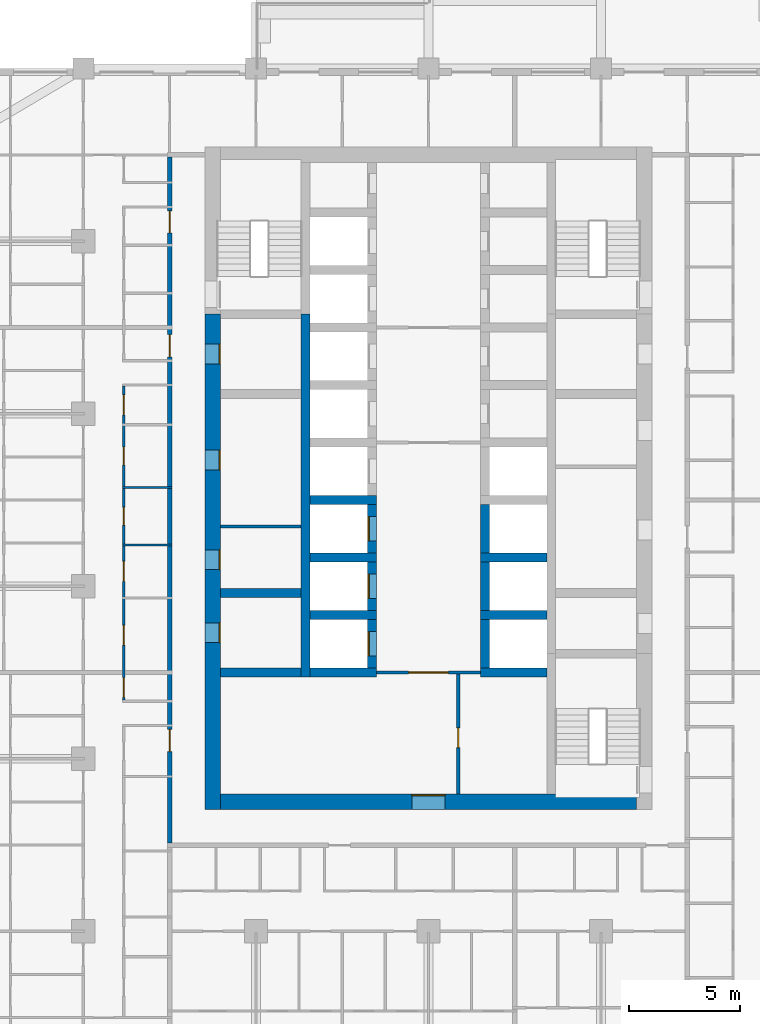
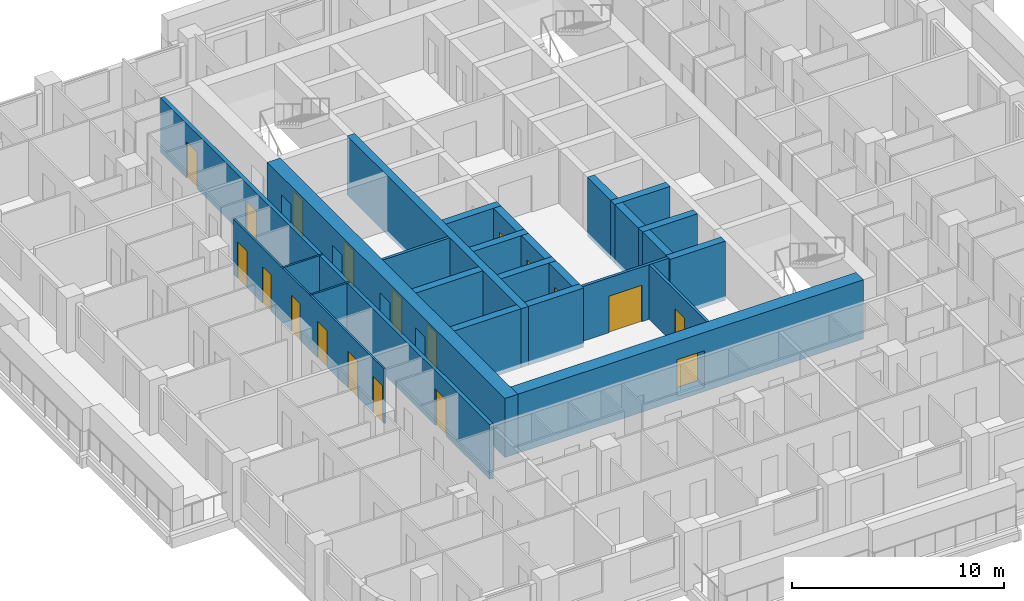
# One storey, part 6 of 17: 25 walls, 19 doors, 19 openings.
"""IFC4 building model written with IfcOpenShell, lengths in metres."""

from ifc_helpers import new_model, si_unit, direction, frame, frame_2d, origin, place, context, subcontext, project, spatial, rectangle, extrude, material, layer, layer_set, type_object, element, fill, save


model = new_model("IFC4")

# Units and contexts
model_context = context("Model", 3, precision=1e-05, world=origin(), true_north=direction((0.0, 1.0)))
body_context = subcontext(model_context, "Body", "Model", "MODEL_VIEW")
ifc_project = project(units=[si_unit("LENGTHUNIT", "METRE"), si_unit("AREAUNIT", "SQUARE_METRE"), si_unit("VOLUMEUNIT", "CUBIC_METRE"), si_unit("PLANEANGLEUNIT", "RADIAN"), si_unit("MASSUNIT", "GRAM", prefix="KILO")], contexts=[model_context])

# Site, building, storey
site_placement = place(None, origin())
site = spatial("IfcSite", under=ifc_project, at=site_placement, CompositionType="ELEMENT")
building_placement = place(site_placement, origin())
building = spatial("IfcBuilding", under=site, at=building_placement, Name="Ludao Terraces", CompositionType="ELEMENT")
storey_placement = place(building_placement, frame((0.0, 0.0, 85.199951171875)))
storey = spatial("IfcBuildingStorey", under=building, at=storey_placement, Name="L23", CompositionType="ELEMENT", Elevation=85.199951171875)

# Wall, openings, doors
ifc_material_1 = material(Name="Concrete C70", Category="concrete")
ifc_layer_1 = layer(ifc_material_1, 0.699951171875)
ifc_layer_set_1 = layer_set([ifc_layer_1], Name="Core wall 700 C70")
wall_type_1 = type_object("IfcWallType", Name="Core wall 700 C70", PredefinedType="SOLIDWALL", material=ifc_layer_set_1)
wall_1_placement = place(storey_placement, frame((75.25, 54.89990234375, -0.25), z_axis=(0.0, 0.0, 1.0), x_axis=(0.0, 1.0, 0.0)))
wall_1 = element("IfcWall", 1, at=wall_1_placement, inside=storey, type_object=wall_type_1, Name="Core wall L23 outer-W", PredefinedType="SOLIDWALL", context=body_context, shape_type="SweptSolid", body=[
    extrude(rectangle(XDim=22.400146484375, YDim=0.699951171875, at=frame_2d((11.2001953125, 0.0))), origin(), (0.0, 0.0, 1.0), 3.400146484375),
])
opening_1_placement = place(wall_1_placement, frame((7.550048828125, 0.0, 0.25)))
opening_1 = element("IfcOpeningElement", 2, at=opening_1_placement, cuts=wall_1, Name="Opening R07-077", PredefinedType="OPENING", context=body_context, shape_type="SweptSolid", body=[
    extrude(rectangle(XDim=0.89990234375, YDim=2.10009765625, at=frame_2d((0.449951171875, 1.050048828125))), frame((0.0, 0.35986328125, 0.0), z_axis=(0.0, -1.0, 0.0), x_axis=(1.0, 0.0, 0.0)), (0.0, 0.0, 1.0), 0.719970703125),
])
opening_2_placement = place(wall_1_placement, frame((10.85009765625, 0.0, 0.25)))
opening_2 = element("IfcOpeningElement", 3, at=opening_2_placement, cuts=wall_1, Name="Opening R07-087", PredefinedType="OPENING", context=body_context, shape_type="SweptSolid", body=[
    extrude(rectangle(XDim=0.89990234375, YDim=2.10009765625, at=frame_2d((0.449951171875, 1.050048828125))), frame((0.0, 0.35986328125, 0.0), z_axis=(0.0, -1.0, 0.0), x_axis=(1.0, 0.0, 0.0)), (0.0, 0.0, 1.0), 0.719970703125),
])
opening_3_placement = place(wall_1_placement, frame((15.35009765625, 0.0, 0.25)))
opening_3 = element("IfcOpeningElement", 4, at=opening_3_placement, cuts=wall_1, Name="Opening R07-101", PredefinedType="OPENING", context=body_context, shape_type="SweptSolid", body=[
    extrude(rectangle(XDim=0.89990234375, YDim=2.10009765625, at=frame_2d((0.449951171875, 1.050048828125))), frame((0.0, 0.35986328125, 0.0), z_axis=(0.0, -1.0, 0.0), x_axis=(1.0, 0.0, 0.0)), (0.0, 0.0, 1.0), 0.719970703125),
])
opening_4_placement = place(wall_1_placement, frame((20.14990234375, 0.0, 0.25)))
opening_4 = element("IfcOpeningElement", 5, at=opening_4_placement, cuts=wall_1, Name="Opening R07-119", PredefinedType="OPENING", context=body_context, shape_type="SweptSolid", body=[
    extrude(rectangle(XDim=0.89990234375, YDim=2.10009765625, at=frame_2d((0.449951171875, 1.050048828125))), frame((0.0, 0.35986328125, 0.0), z_axis=(0.0, -1.0, 0.0), x_axis=(1.0, 0.0, 0.0)), (0.0, 0.0, 1.0), 0.719970703125),
])
ifc_material_2 = material(Name="Steel Q235", Category="steel")
door_type_1 = type_object("IfcDoorType", Name="INT Riser door 900", OperationType="SINGLE_SWING_LEFT", PredefinedType="DOOR", material=ifc_material_2)
door_1_placement = place(opening_1_placement, origin())
door_1 = element("IfcDoor", 6, at=door_1_placement, inside=storey, type_object=door_type_1, Name="DOOR 077", OperationType="SINGLE_SWING_RIGHT", OverallHeight=2.10009765625, OverallWidth=0.89990234375, PredefinedType="DOOR", context=body_context, shape_type="SweptSolid", body=[
    extrude(rectangle(XDim=0.89990234375, YDim=2.10009765625, at=frame_2d((0.449951171875, 1.050048828125))), frame((0.0, -0.28515625, 0.0), z_axis=(0.0, -1.0, 0.0), x_axis=(1.0, 0.0, 0.0)), (0.0, 0.0, 1.0), 0.050048828125),
])
fill(opening_1, door_1)
door_2_placement = place(opening_4_placement, origin())
door_2 = element("IfcDoor", 7, at=door_2_placement, inside=storey, type_object=door_type_1, Name="DOOR 119", OperationType="SINGLE_SWING_RIGHT", OverallHeight=2.10009765625, OverallWidth=0.89990234375, PredefinedType="DOOR", context=body_context, shape_type="SweptSolid", body=[
    extrude(rectangle(XDim=0.89990234375, YDim=2.10009765625, at=frame_2d((0.449951171875, 1.050048828125))), frame((0.0, -0.28515625, 0.0), z_axis=(0.0, -1.0, 0.0), x_axis=(1.0, 0.0, 0.0)), (0.0, 0.0, 1.0), 0.050048828125),
])
fill(opening_4, door_2)
ifc_material_3 = material(Name="Timber door leaf", Category="wood")
door_type_2 = type_object("IfcDoorType", Name="INT Room door 900", OperationType="SINGLE_SWING_LEFT", PredefinedType="DOOR", material=ifc_material_3)
door_3_placement = place(opening_2_placement, origin())
door_3 = element("IfcDoor", 8, at=door_3_placement, inside=storey, type_object=door_type_2, Name="DOOR 087", OperationType="SINGLE_SWING_RIGHT", OverallHeight=2.10009765625, OverallWidth=0.89990234375, PredefinedType="DOOR", context=body_context, shape_type="SweptSolid", body=[
    extrude(rectangle(XDim=0.89990234375, YDim=2.10009765625, at=frame_2d((0.449951171875, 1.050048828125))), frame((0.0, -0.28515625, 0.0), z_axis=(0.0, -1.0, 0.0), x_axis=(1.0, 0.0, 0.0)), (0.0, 0.0, 1.0), 0.050048828125),
])
fill(opening_2, door_3)
door_4_placement = place(opening_3_placement, origin())
door_4 = element("IfcDoor", 9, at=door_4_placement, inside=storey, type_object=door_type_2, Name="DOOR 101", OperationType="SINGLE_SWING_LEFT", OverallHeight=2.10009765625, OverallWidth=0.89990234375, PredefinedType="DOOR", context=body_context, shape_type="SweptSolid", body=[
    extrude(rectangle(XDim=0.89990234375, YDim=2.10009765625, at=frame_2d((0.449951171875, 1.050048828125))), frame((0.0, -0.28515625, 0.0), z_axis=(0.0, -1.0, 0.0), x_axis=(1.0, 0.0, 0.0)), (0.0, 0.0, 1.0), 0.050048828125),
])
fill(opening_3, door_4)

# Wall, opening, door
wall_2_placement = place(storey_placement, frame((75.60009765625, 55.25, -0.25), z_axis=(0.0, 0.0, 1.0), x_axis=(1.0, 0.0, 0.0)))
wall_2 = element("IfcWall", 10, at=wall_2_placement, inside=storey, type_object=wall_type_1, Name="Core wall L23 outer-S", PredefinedType="SOLIDWALL", context=body_context, shape_type="SweptSolid", body=[
    extrude(rectangle(XDim=18.7998046875, YDim=0.699951171875, at=frame_2d((9.39990234375, 0.0))), origin(), (0.0, 0.0, 1.0), 3.400146484375),
])
opening_5_placement = place(wall_2_placement, frame((8.64990234375, 0.0, 0.25)))
opening_5 = element("IfcOpeningElement", 11, at=opening_5_placement, cuts=wall_2, Name="Opening R07-053", PredefinedType="OPENING", context=body_context, shape_type="SweptSolid", body=[
    extrude(rectangle(XDim=1.5, YDim=2.10009765625, at=frame_2d((0.75, 1.050048828125))), frame((0.0, 0.35986328125, 0.0), z_axis=(0.0, -1.0, 0.0), x_axis=(1.0, 0.0, 0.0)), (0.0, 0.0, 1.0), 0.719970703125),
])
door_type_3 = type_object("IfcDoorType", Name="INT Lobby door 1500", OperationType="DOUBLE_DOOR_SINGLE_SWING", PredefinedType="DOOR", material=ifc_material_2)
door_5_placement = place(opening_5_placement, origin())
door_5 = element("IfcDoor", 12, at=door_5_placement, inside=storey, type_object=door_type_3, Name="DOOR 053", OperationType="DOUBLE_DOOR_SINGLE_SWING", OverallHeight=2.10009765625, OverallWidth=1.5, PredefinedType="DOOR", context=body_context, shape_type="SweptSolid", body=[
    extrude(rectangle(XDim=1.5, YDim=2.10009765625, at=frame_2d((0.75, 1.050048828125))), frame((0.0, 0.3349609375, 0.0), z_axis=(0.0, -1.0, 0.0), x_axis=(1.0, 0.0, 0.0)), (0.0, 0.0, 1.0), 0.050048828125),
])
fill(opening_5, door_5)

ifc_material_4 = material(Name="Fire-rated gypsum plasterboard", Category="gypsum")
ifc_layer_2 = layer(ifc_material_4, 0.012451171875, Category="gypsum")
ifc_material_5 = material(Name="Mineral wool")
ifc_layer_3 = layer(ifc_material_5, 0.10009765625, Name="insulation")
ifc_layer_4 = layer(ifc_material_2, 0.02490234375, Name="stud")
ifc_layer_5 = layer(ifc_material_4, 0.012451171875, Category="gypsum")
ifc_layer_set_2 = layer_set([ifc_layer_2, ifc_layer_3, ifc_layer_4, ifc_layer_5], Name="INT Core partition 150")
wall_type_2 = type_object("IfcWallType", Name="INT Core partition 150", PredefinedType="PARTITIONING", material=ifc_layer_set_2)
wall_3_placement = place(storey_placement, frame((82.650146484375, 61.10009765625, 0.0), z_axis=(0.0, 0.0, 1.0), x_axis=(1.0, 0.0, 0.0)))
wall_3 = element("IfcWall", 13, at=wall_3_placement, inside=storey, type_object=wall_type_2, Name="PW-L23-PW033", PredefinedType="PARTITIONING", context=body_context, shape_type="SweptSolid", body=[
    extrude(rectangle(XDim=4.699951171875, YDim=0.14990234375, at=frame_2d((2.35009765625, 0.0))), origin(), (0.0, 0.0, 1.0), 3.150146484375),
])
opening_6_placement = place(wall_3_placement, frame((1.449951171875, 0.0, 0.0)))
opening_6 = element("IfcOpeningElement", 14, at=opening_6_placement, cuts=wall_3, Name="Opening R07-072", PredefinedType="OPENING", context=body_context, shape_type="SweptSolid", body=[
    extrude(rectangle(XDim=1.800048828125, YDim=2.10009765625, at=frame_2d((0.89990234375, 1.050048828125))), frame((0.0, 0.0849609375, 0.0), z_axis=(0.0, -1.0, 0.0), x_axis=(1.0, 0.0, 0.0)), (0.0, 0.0, 1.0), 0.169921875),
])
door_type_4 = type_object("IfcDoorType", Name="INT Fire lobby door 1800", OperationType="DOUBLE_DOOR_SINGLE_SWING", PredefinedType="DOOR", material=ifc_material_2)
door_6_placement = place(opening_6_placement, origin())
door_6 = element("IfcDoor", 15, at=door_6_placement, inside=storey, type_object=door_type_4, Name="DOOR 072", OperationType="DOUBLE_DOOR_SINGLE_SWING", OverallHeight=2.10009765625, OverallWidth=1.800048828125, PredefinedType="DOOR", context=body_context, shape_type="SweptSolid", body=[
    extrude(rectangle(XDim=1.800048828125, YDim=2.10009765625, at=frame_2d((0.89990234375, 1.050048828125))), frame((0.0, 0.02490234375, 0.0), z_axis=(0.0, -1.0, 0.0), x_axis=(1.0, 0.0, 0.0)), (0.0, 0.0, 1.0), 0.050048828125),
])
fill(opening_6, door_6)

# Wall
wall_4_placement = place(storey_placement, frame((75.60009765625, 67.699951171875, 0.0), z_axis=(0.0, 0.0, 1.0), x_axis=(1.0, 0.0, 0.0)))
element("IfcWall", 16, at=wall_4_placement, inside=storey, type_object=wall_type_2, Name="PW-L23-PW044", PredefinedType="PARTITIONING", context=body_context, shape_type="SweptSolid", body=[
    extrude(rectangle(XDim=3.64990234375, YDim=0.14990234375, at=frame_2d((1.824951171875, 0.0))), origin(), (0.0, 0.0, 1.0), 3.150146484375),
])

# Wall, opening, door
wall_5_placement = place(storey_placement, frame((86.35009765625, 55.60009765625, 0.0), z_axis=(0.0, 0.0, 1.0), x_axis=(0.0, 1.0, 0.0)))
wall_5 = element("IfcWall", 17, at=wall_5_placement, inside=storey, type_object=wall_type_2, Name="PW-L23-PW104", PredefinedType="PARTITIONING", context=body_context, shape_type="SweptSolid", body=[
    extrude(rectangle(XDim=5.425048828125, YDim=0.14990234375, at=frame_2d((2.71240234375, 0.0))), origin(), (0.0, 0.0, 1.0), 3.150146484375),
])
opening_7_placement = place(wall_5_placement, frame((2.10009765625, 0.0, 0.0)))
opening_7 = element("IfcOpeningElement", 18, at=opening_7_placement, cuts=wall_5, Name="Opening R07-063", PredefinedType="OPENING", context=body_context, shape_type="SweptSolid", body=[
    extrude(rectangle(XDim=0.89990234375, YDim=2.10009765625, at=frame_2d((0.449951171875, 1.050048828125))), frame((0.0, 0.0849609375, 0.0), z_axis=(0.0, -1.0, 0.0), x_axis=(1.0, 0.0, 0.0)), (0.0, 0.0, 1.0), 0.169921875),
])
door_7_placement = place(opening_7_placement, origin())
door_7 = element("IfcDoor", 19, at=door_7_placement, inside=storey, type_object=door_type_2, Name="DOOR 063", OperationType="SINGLE_SWING_RIGHT", OverallHeight=2.10009765625, OverallWidth=0.89990234375, PredefinedType="DOOR", context=body_context, shape_type="SweptSolid", body=[
    extrude(rectangle(XDim=0.89990234375, YDim=2.10009765625, at=frame_2d((0.449951171875, 1.050048828125))), frame((0.0, 0.02490234375, 0.0), z_axis=(0.0, -1.0, 0.0), x_axis=(1.0, 0.0, 0.0)), (0.0, 0.0, 1.0), 0.050048828125),
])
fill(opening_7, door_7)

# Wall, openings, doors
ifc_material_6 = material(Name="Autoclaved aerated concrete block B06 A3.5", Category="concrete")
ifc_layer_6 = layer(ifc_material_6, 0.199951171875)
ifc_layer_set_3 = layer_set([ifc_layer_6], Name="INT Entrance wall 200")
wall_type_3 = type_object("IfcWallType", Name="INT Entrance wall 200", PredefinedType="PARTITIONING", material=ifc_layer_set_3)
wall_6_placement = place(storey_placement, frame((73.300048828125, 53.400146484375, 0.0), z_axis=(0.0, 0.0, 1.0), x_axis=(0.0, 1.0, 0.0)))
wall_6 = element("IfcWall", 20, at=wall_6_placement, inside=storey, type_object=wall_type_3, Name="PW-L23-PW088", PredefinedType="PARTITIONING", context=body_context, shape_type="SweptSolid", body=[
    extrude(rectangle(XDim=31.0, YDim=0.199951171875, at=frame_2d((15.5, 0.0))), origin(), (0.0, 0.0, 1.0), 3.150146484375),
])
opening_8_placement = place(wall_6_placement, frame((4.125, 0.0, 0.0)))
opening_8 = element("IfcOpeningElement", 21, at=opening_8_placement, cuts=wall_6, Name="Opening R07-062", PredefinedType="OPENING", context=body_context, shape_type="SweptSolid", body=[
    extrude(rectangle(XDim=1.0, YDim=2.10009765625, at=frame_2d((0.5, 1.050048828125))), frame((0.0, 0.10986328125, 0.0), z_axis=(0.0, -1.0, 0.0), x_axis=(1.0, 0.0, 0.0)), (0.0, 0.0, 1.0), 0.219970703125),
])
opening_9_placement = place(wall_6_placement, frame((21.97509765625, 0.0, 0.0)))
opening_9 = element("IfcOpeningElement", 22, at=opening_9_placement, cuts=wall_6, Name="Opening R07-124", PredefinedType="OPENING", context=body_context, shape_type="SweptSolid", body=[
    extrude(rectangle(XDim=1.0, YDim=2.10009765625, at=frame_2d((0.5, 1.050048828125))), frame((0.0, 0.10986328125, 0.0), z_axis=(0.0, -1.0, 0.0), x_axis=(1.0, 0.0, 0.0)), (0.0, 0.0, 1.0), 0.219970703125),
])
opening_10_placement = place(wall_6_placement, frame((27.574951171875, 0.0, 0.0)))
opening_10 = element("IfcOpeningElement", 23, at=opening_10_placement, cuts=wall_6, Name="Opening R07-143", PredefinedType="OPENING", context=body_context, shape_type="SweptSolid", body=[
    extrude(rectangle(XDim=1.0, YDim=2.10009765625, at=frame_2d((0.5, 1.050048828125))), frame((0.0, 0.10986328125, 0.0), z_axis=(0.0, -1.0, 0.0), x_axis=(1.0, 0.0, 0.0)), (0.0, 0.0, 1.0), 0.219970703125),
])
door_type_5 = type_object("IfcDoorType", Name="INT Flat entrance door 1000", OperationType="SINGLE_SWING_LEFT", PredefinedType="DOOR", material=ifc_material_2)
door_8_placement = place(opening_8_placement, origin())
door_8 = element("IfcDoor", 24, at=door_8_placement, inside=storey, type_object=door_type_5, Name="DOOR 062", OperationType="SINGLE_SWING_LEFT", OverallHeight=2.10009765625, OverallWidth=1.0, PredefinedType="DOOR", context=body_context, shape_type="SweptSolid", body=[
    extrude(rectangle(XDim=1.0, YDim=2.10009765625, at=frame_2d((0.5, 1.050048828125))), frame((0.0, 0.02490234375, 0.0), z_axis=(0.0, -1.0, 0.0), x_axis=(1.0, 0.0, 0.0)), (0.0, 0.0, 1.0), 0.050048828125),
])
fill(opening_8, door_8)
door_9_placement = place(opening_9_placement, origin())
door_9 = element("IfcDoor", 25, at=door_9_placement, inside=storey, type_object=door_type_5, Name="DOOR 124", OperationType="SINGLE_SWING_RIGHT", OverallHeight=2.10009765625, OverallWidth=1.0, PredefinedType="DOOR", context=body_context, shape_type="SweptSolid", body=[
    extrude(rectangle(XDim=1.0, YDim=2.10009765625, at=frame_2d((0.5, 1.050048828125))), frame((0.0, 0.02490234375, 0.0), z_axis=(0.0, -1.0, 0.0), x_axis=(1.0, 0.0, 0.0)), (0.0, 0.0, 1.0), 0.050048828125),
])
fill(opening_9, door_9)
door_10_placement = place(opening_10_placement, origin())
door_10 = element("IfcDoor", 26, at=door_10_placement, inside=storey, type_object=door_type_5, Name="DOOR 143", OperationType="SINGLE_SWING_LEFT", OverallHeight=2.10009765625, OverallWidth=1.0, PredefinedType="DOOR", context=body_context, shape_type="SweptSolid", body=[
    extrude(rectangle(XDim=1.0, YDim=2.10009765625, at=frame_2d((0.5, 1.050048828125))), frame((0.0, 0.02490234375, 0.0), z_axis=(0.0, -1.0, 0.0), x_axis=(1.0, 0.0, 0.0)), (0.0, 0.0, 1.0), 0.050048828125),
])
fill(opening_10, door_10)

# Walls
ifc_material_7 = material(Name="Gypsum plasterboard", Category="gypsum")
ifc_layer_7 = layer(ifc_material_7, 0.012451171875, Category="gypsum")
ifc_layer_8 = layer(ifc_material_5, 0.06005859375, Name="insulation")
ifc_layer_9 = layer(ifc_material_2, 0.014892578125, Name="stud")
ifc_layer_10 = layer(ifc_material_7, 0.012451171875, Category="gypsum")
ifc_layer_set_4 = layer_set([ifc_layer_7, ifc_layer_8, ifc_layer_9, ifc_layer_10], Name="INT Partition 100")
wall_type_4 = type_object("IfcWallType", Name="INT Partition 100", PredefinedType="PARTITIONING", material=ifc_layer_set_4)
for number, where, z_axis, x_axis, name in (
    (27, (71.18017578125, 66.8701171875, 0.0), (0.0, 0.0, 1.0), (1.0, 0.0, 0.0), "PW-L23-PW042"),
    (28, (71.18017578125, 69.469970703125, 0.0), (0.0, 0.0, 1.0), (1.0, 0.0, 0.0), "PW-L23-PW047"),
):
    element("IfcWall", number, at=place(storey_placement, frame(where, z_axis=z_axis, x_axis=x_axis)), inside=storey, type_object=wall_type_4, Name=name, PredefinedType="PARTITIONING", context=body_context, shape_type="SweptSolid", body=[
        extrude(rectangle(XDim=2.219970703125, YDim=0.10009765625, at=frame_2d((1.10986328125, 0.0))), origin(), (0.0, 0.0, 1.0), 3.150146484375),
    ])

# Wall, openings, doors
wall_7_placement = place(storey_placement, frame((71.22998046875, 59.85009765625, 0.0), z_axis=(0.0, 0.0, 1.0), x_axis=(0.0, 1.0, 0.0)))
wall_7 = element("IfcWall", 29, at=wall_7_placement, inside=storey, type_object=wall_type_4, Name="PW-L23-PW084", PredefinedType="PARTITIONING", context=body_context, shape_type="SweptSolid", body=[
    extrude(rectangle(XDim=14.199951171875, YDim=0.10009765625, at=frame_2d((7.10009765625, 0.0))), origin(), (0.0, 0.0, 1.0), 3.150146484375),
])
opening_11_placement = place(wall_7_placement, frame((0.125, 0.0, 0.0)))
opening_11 = element("IfcOpeningElement", 30, at=opening_11_placement, cuts=wall_7, Name="Opening R07-070", PredefinedType="OPENING", context=body_context, shape_type="SweptSolid", body=[
    extrude(rectangle(XDim=0.89990234375, YDim=2.10009765625, at=frame_2d((0.449951171875, 1.050048828125))), frame((0.0, 0.06005859375, 0.0), z_axis=(0.0, -1.0, 0.0), x_axis=(1.0, 0.0, 0.0)), (0.0, 0.0, 1.0), 0.1201171875),
])
opening_12_placement = place(wall_7_placement, frame((2.485107421875, 0.0, 0.0)))
opening_12 = element("IfcOpeningElement", 31, at=opening_12_placement, cuts=wall_7, Name="Opening R07-076", PredefinedType="OPENING", context=body_context, shape_type="SweptSolid", body=[
    extrude(rectangle(XDim=0.89990234375, YDim=2.10009765625, at=frame_2d((0.449951171875, 1.050048828125))), frame((0.0, 0.06005859375, 0.0), z_axis=(0.0, -1.0, 0.0), x_axis=(1.0, 0.0, 0.0)), (0.0, 0.0, 1.0), 0.1201171875),
])
opening_13_placement = place(wall_7_placement, frame((5.3701171875, 0.0, 0.0)))
opening_13 = element("IfcOpeningElement", 32, at=opening_13_placement, cuts=wall_7, Name="Opening R07-085", PredefinedType="OPENING", context=body_context, shape_type="SweptSolid", body=[
    extrude(rectangle(XDim=0.89990234375, YDim=2.10009765625, at=frame_2d((0.449951171875, 1.050048828125))), frame((0.0, 0.06005859375, 0.0), z_axis=(0.0, -1.0, 0.0), x_axis=(1.0, 0.0, 0.0)), (0.0, 0.0, 1.0), 0.1201171875),
])
opening_14_placement = place(wall_7_placement, frame((7.919921875, 0.0, 0.0)))
opening_14 = element("IfcOpeningElement", 33, at=opening_14_placement, cuts=wall_7, Name="Opening R07-096", PredefinedType="OPENING", context=body_context, shape_type="SweptSolid", body=[
    extrude(rectangle(XDim=0.800048828125, YDim=2.10009765625, at=frame_2d((0.39990234375, 1.050048828125))), frame((0.0, 0.06005859375, 0.0), z_axis=(0.0, -1.0, 0.0), x_axis=(1.0, 0.0, 0.0)), (0.0, 0.0, 1.0), 0.1201171875),
])
opening_15_placement = place(wall_7_placement, frame((10.635009765625, 0.0, 0.0)))
opening_15 = element("IfcOpeningElement", 34, at=opening_15_placement, cuts=wall_7, Name="Opening R07-102", PredefinedType="OPENING", context=body_context, shape_type="SweptSolid", body=[
    extrude(rectangle(XDim=0.800048828125, YDim=2.10009765625, at=frame_2d((0.39990234375, 1.050048828125))), frame((0.0, 0.06005859375, 0.0), z_axis=(0.0, -1.0, 0.0), x_axis=(1.0, 0.0, 0.0)), (0.0, 0.0, 1.0), 0.1201171875),
])
opening_16_placement = place(wall_7_placement, frame((12.89990234375, 0.0, 0.0)))
opening_16 = element("IfcOpeningElement", 35, at=opening_16_placement, cuts=wall_7, Name="Opening R07-112", PredefinedType="OPENING", context=body_context, shape_type="SweptSolid", body=[
    extrude(rectangle(XDim=0.89990234375, YDim=2.10009765625, at=frame_2d((0.449951171875, 1.050048828125))), frame((0.0, 0.06005859375, 0.0), z_axis=(0.0, -1.0, 0.0), x_axis=(1.0, 0.0, 0.0)), (0.0, 0.0, 1.0), 0.1201171875),
])
door_type_6 = type_object("IfcDoorType", Name="INT Bathroom door 900", OperationType="SINGLE_SWING_LEFT", PredefinedType="DOOR", material=ifc_material_3)
door_11_placement = place(opening_11_placement, origin())
door_11 = element("IfcDoor", 36, at=door_11_placement, inside=storey, type_object=door_type_6, Name="DOOR 070", OperationType="SINGLE_SWING_LEFT", OverallHeight=2.10009765625, OverallWidth=0.89990234375, PredefinedType="DOOR", context=body_context, shape_type="SweptSolid", body=[
    extrude(rectangle(XDim=0.89990234375, YDim=2.10009765625, at=frame_2d((0.449951171875, 1.050048828125))), frame((0.0, 0.02490234375, 0.0), z_axis=(0.0, -1.0, 0.0), x_axis=(1.0, 0.0, 0.0)), (0.0, 0.0, 1.0), 0.050048828125),
])
fill(opening_11, door_11)
door_12_placement = place(opening_13_placement, origin())
door_12 = element("IfcDoor", 37, at=door_12_placement, inside=storey, type_object=door_type_6, Name="DOOR 085", OperationType="SINGLE_SWING_RIGHT", OverallHeight=2.10009765625, OverallWidth=0.89990234375, PredefinedType="DOOR", context=body_context, shape_type="SweptSolid", body=[
    extrude(rectangle(XDim=0.89990234375, YDim=2.10009765625, at=frame_2d((0.449951171875, 1.050048828125))), frame((0.0, 0.02490234375, 0.0), z_axis=(0.0, -1.0, 0.0), x_axis=(1.0, 0.0, 0.0)), (0.0, 0.0, 1.0), 0.050048828125),
])
fill(opening_13, door_12)
door_13_placement = place(opening_16_placement, origin())
door_13 = element("IfcDoor", 38, at=door_13_placement, inside=storey, type_object=door_type_6, Name="DOOR 112", OperationType="SINGLE_SWING_RIGHT", OverallHeight=2.10009765625, OverallWidth=0.89990234375, PredefinedType="DOOR", context=body_context, shape_type="SweptSolid", body=[
    extrude(rectangle(XDim=0.89990234375, YDim=2.10009765625, at=frame_2d((0.449951171875, 1.050048828125))), frame((0.0, 0.02490234375, 0.0), z_axis=(0.0, -1.0, 0.0), x_axis=(1.0, 0.0, 0.0)), (0.0, 0.0, 1.0), 0.050048828125),
])
fill(opening_16, door_13)
door_14_placement = place(opening_12_placement, origin())
door_14 = element("IfcDoor", 39, at=door_14_placement, inside=storey, type_object=door_type_2, Name="DOOR 076", OperationType="SINGLE_SWING_RIGHT", OverallHeight=2.10009765625, OverallWidth=0.89990234375, PredefinedType="DOOR", context=body_context, shape_type="SweptSolid", body=[
    extrude(rectangle(XDim=0.89990234375, YDim=2.10009765625, at=frame_2d((0.449951171875, 1.050048828125))), frame((0.0, 0.02490234375, 0.0), z_axis=(0.0, -1.0, 0.0), x_axis=(1.0, 0.0, 0.0)), (0.0, 0.0, 1.0), 0.050048828125),
])
fill(opening_12, door_14)
door_type_7 = type_object("IfcDoorType", Name="INT Store door 800", OperationType="SINGLE_SWING_LEFT", PredefinedType="DOOR", material=ifc_material_3)
door_15_placement = place(opening_14_placement, origin())
door_15 = element("IfcDoor", 40, at=door_15_placement, inside=storey, type_object=door_type_7, Name="DOOR 096", OperationType="SINGLE_SWING_RIGHT", OverallHeight=2.10009765625, OverallWidth=0.800048828125, PredefinedType="DOOR", context=body_context, shape_type="SweptSolid", body=[
    extrude(rectangle(XDim=0.800048828125, YDim=2.10009765625, at=frame_2d((0.39990234375, 1.050048828125))), frame((0.0, 0.02490234375, 0.0), z_axis=(0.0, -1.0, 0.0), x_axis=(1.0, 0.0, 0.0)), (0.0, 0.0, 1.0), 0.050048828125),
])
fill(opening_14, door_15)
door_16_placement = place(opening_15_placement, origin())
door_16 = element("IfcDoor", 41, at=door_16_placement, inside=storey, type_object=door_type_7, Name="DOOR 102", OperationType="SINGLE_SWING_RIGHT", OverallHeight=2.10009765625, OverallWidth=0.800048828125, PredefinedType="DOOR", context=body_context, shape_type="SweptSolid", body=[
    extrude(rectangle(XDim=0.800048828125, YDim=2.10009765625, at=frame_2d((0.39990234375, 1.050048828125))), frame((0.0, 0.02490234375, 0.0), z_axis=(0.0, -1.0, 0.0), x_axis=(1.0, 0.0, 0.0)), (0.0, 0.0, 1.0), 0.050048828125),
])
fill(opening_15, door_16)

# Walls
ifc_material_8 = material(Name="Concrete C60", Category="concrete")
ifc_layer_11 = layer(ifc_material_8, 0.39990234375)
ifc_layer_set_5 = layer_set([ifc_layer_11], Name="Shaft wall 400 C60")
wall_type_5 = type_object("IfcWallType", Name="Shaft wall 400 C60", PredefinedType="SOLIDWALL", material=ifc_layer_set_5)
wall_8_placement = place(storey_placement, frame((79.449951171875, 60.89990234375, -0.25), z_axis=(0.0, 0.0, 1.0), x_axis=(0.0, 1.0, 0.0)))
element("IfcWall", 42, at=wall_8_placement, inside=storey, type_object=wall_type_5, Name="Core wall L23 back-W", PredefinedType="SOLIDWALL", context=body_context, shape_type="SweptSolid", body=[
    extrude(rectangle(XDim=16.400146484375, YDim=0.39990234375, at=frame_2d((8.2001953125, 0.0))), origin(), (0.0, 0.0, 1.0), 3.400146484375),
])
wall_9_placement = place(storey_placement, frame((79.64990234375, 61.10009765625, -0.25), z_axis=(0.0, 0.0, 1.0), x_axis=(1.0, 0.0, 0.0)))
element("IfcWall", 43, at=wall_9_placement, inside=storey, type_object=wall_type_5, Name="Core wall L23 div-W1", PredefinedType="SOLIDWALL", context=body_context, shape_type="SweptSolid", body=[
    extrude(rectangle(XDim=3.0, YDim=0.39990234375, at=frame_2d((1.5, 0.0))), origin(), (0.0, 0.0, 1.0), 3.400146484375),
])

# Wall, opening, door
wall_10_placement = place(storey_placement, frame((82.449951171875, 61.300048828125, -0.25), z_axis=(0.0, 0.0, 1.0), x_axis=(0.0, 1.0, 0.0)))
wall_10 = element("IfcWall", 44, at=wall_10_placement, inside=storey, type_object=wall_type_5, Name="Core wall L23 front-W1", PredefinedType="SOLIDWALL", context=body_context, shape_type="SweptSolid", body=[
    extrude(rectangle(XDim=2.199951171875, YDim=0.39990234375, at=frame_2d((1.10009765625, 0.0))), origin(), (0.0, 0.0, 1.0), 3.400146484375),
])
opening_17_placement = place(wall_10_placement, frame((0.550048828125, 0.0, 0.25)))
opening_17 = element("IfcOpeningElement", 45, at=opening_17_placement, cuts=wall_10, Name="Opening LD-LA1", PredefinedType="OPENING", context=body_context, shape_type="SweptSolid", body=[
    extrude(rectangle(XDim=1.10009765625, YDim=2.10009765625, at=frame_2d((0.550048828125, 1.050048828125))), frame((0.0, 0.2099609375, 0.0), z_axis=(0.0, -1.0, 0.0), x_axis=(1.0, 0.0, 0.0)), (0.0, 0.0, 1.0), 0.419921875),
])
ifc_material_9 = material(Name="Stainless steel 304", Category="steel")
door_type_8 = type_object("IfcDoorType", Name="INT Lift landing door 1100", OperationType="SLIDING_TO_LEFT", PredefinedType="DOOR", material=ifc_material_9)
door_17_placement = place(opening_17_placement, origin())
door_17 = element("IfcDoor", 46, at=door_17_placement, inside=storey, type_object=door_type_8, Name="LANDING DOOR LA1 L23", OperationType="SLIDING_TO_RIGHT", OverallHeight=2.10009765625, OverallWidth=1.10009765625, PredefinedType="DOOR", context=body_context, shape_type="SweptSolid", body=[
    extrude(rectangle(XDim=1.10009765625, YDim=2.10009765625, at=frame_2d((0.550048828125, 1.050048828125))), frame((0.0, 0.18505859375, 0.0), z_axis=(0.0, -1.0, 0.0), x_axis=(1.0, 0.0, 0.0)), (0.0, 0.0, 1.0), 0.050048828125),
])
fill(opening_17, door_17)

# Wall
wall_11_placement = place(storey_placement, frame((79.64990234375, 63.699951171875, -0.25), z_axis=(0.0, 0.0, 1.0), x_axis=(1.0, 0.0, 0.0)))
element("IfcWall", 47, at=wall_11_placement, inside=storey, type_object=wall_type_5, Name="Core wall L23 div-W2", PredefinedType="SOLIDWALL", context=body_context, shape_type="SweptSolid", body=[
    extrude(rectangle(XDim=3.0, YDim=0.39990234375, at=frame_2d((1.5, 0.0))), origin(), (0.0, 0.0, 1.0), 3.400146484375),
])

# Wall, opening, door
wall_12_placement = place(storey_placement, frame((82.449951171875, 63.89990234375, -0.25), z_axis=(0.0, 0.0, 1.0), x_axis=(0.0, 1.0, 0.0)))
wall_12 = element("IfcWall", 48, at=wall_12_placement, inside=storey, type_object=wall_type_5, Name="Core wall L23 front-W2", PredefinedType="SOLIDWALL", context=body_context, shape_type="SweptSolid", body=[
    extrude(rectangle(XDim=2.2001953125, YDim=0.39990234375, at=frame_2d((1.10009765625, 0.0))), origin(), (0.0, 0.0, 1.0), 3.400146484375),
])
opening_18_placement = place(wall_12_placement, frame((0.550048828125, 0.0, 0.25)))
opening_18 = element("IfcOpeningElement", 49, at=opening_18_placement, cuts=wall_12, Name="Opening LD-LA2", PredefinedType="OPENING", context=body_context, shape_type="SweptSolid", body=[
    extrude(rectangle(XDim=1.10009765625, YDim=2.10009765625, at=frame_2d((0.550048828125, 1.050048828125))), frame((0.0, 0.2099609375, 0.0), z_axis=(0.0, -1.0, 0.0), x_axis=(1.0, 0.0, 0.0)), (0.0, 0.0, 1.0), 0.419921875),
])
door_18_placement = place(opening_18_placement, origin())
door_18 = element("IfcDoor", 50, at=door_18_placement, inside=storey, type_object=door_type_8, Name="LANDING DOOR LA2 L23", OperationType="SLIDING_TO_RIGHT", OverallHeight=2.10009765625, OverallWidth=1.10009765625, PredefinedType="DOOR", context=body_context, shape_type="SweptSolid", body=[
    extrude(rectangle(XDim=1.10009765625, YDim=2.10009765625, at=frame_2d((0.550048828125, 1.050048828125))), frame((0.0, 0.18505859375, 0.0), z_axis=(0.0, -1.0, 0.0), x_axis=(1.0, 0.0, 0.0)), (0.0, 0.0, 1.0), 0.050048828125),
])
fill(opening_18, door_18)

# Wall
wall_13_placement = place(storey_placement, frame((79.64990234375, 66.300048828125, -0.25), z_axis=(0.0, 0.0, 1.0), x_axis=(1.0, 0.0, 0.0)))
element("IfcWall", 51, at=wall_13_placement, inside=storey, type_object=wall_type_5, Name="Core wall L23 div-W3", PredefinedType="SOLIDWALL", context=body_context, shape_type="SweptSolid", body=[
    extrude(rectangle(XDim=3.0, YDim=0.39990234375, at=frame_2d((1.5, 0.0))), origin(), (0.0, 0.0, 1.0), 3.400146484375),
])

# Wall, opening, door
wall_14_placement = place(storey_placement, frame((82.449951171875, 66.5, -0.25), z_axis=(0.0, 0.0, 1.0), x_axis=(0.0, 1.0, 0.0)))
wall_14 = element("IfcWall", 52, at=wall_14_placement, inside=storey, type_object=wall_type_5, Name="Core wall L23 front-W3", PredefinedType="SOLIDWALL", context=body_context, shape_type="SweptSolid", body=[
    extrude(rectangle(XDim=2.199951171875, YDim=0.39990234375, at=frame_2d((1.10009765625, 0.0))), origin(), (0.0, 0.0, 1.0), 3.400146484375),
])
opening_19_placement = place(wall_14_placement, frame((0.550048828125, 0.0, 0.25)))
opening_19 = element("IfcOpeningElement", 53, at=opening_19_placement, cuts=wall_14, Name="Opening LD-LA3", PredefinedType="OPENING", context=body_context, shape_type="SweptSolid", body=[
    extrude(rectangle(XDim=1.10009765625, YDim=2.10009765625, at=frame_2d((0.550048828125, 1.050048828125))), frame((0.0, 0.2099609375, 0.0), z_axis=(0.0, -1.0, 0.0), x_axis=(1.0, 0.0, 0.0)), (0.0, 0.0, 1.0), 0.419921875),
])
door_19_placement = place(opening_19_placement, origin())
door_19 = element("IfcDoor", 54, at=door_19_placement, inside=storey, type_object=door_type_8, Name="LANDING DOOR LA3 L23", OperationType="SLIDING_TO_RIGHT", OverallHeight=2.10009765625, OverallWidth=1.10009765625, PredefinedType="DOOR", context=body_context, shape_type="SweptSolid", body=[
    extrude(rectangle(XDim=1.10009765625, YDim=2.10009765625, at=frame_2d((0.550048828125, 1.050048828125))), frame((0.0, 0.18505859375, 0.0), z_axis=(0.0, -1.0, 0.0), x_axis=(1.0, 0.0, 0.0)), (0.0, 0.0, 1.0), 0.050048828125),
])
fill(opening_19, door_19)

# Walls
for number, where, z_axis, x_axis, name in (
    (55, (79.64990234375, 68.89990234375, -0.25), (0.0, 0.0, 1.0), (1.0, 0.0, 0.0), "Core wall L23 div-W4"),
    (56, (87.35009765625, 61.10009765625, -0.25), (0.0, 0.0, 1.0), (1.0, 0.0, 0.0), "Core wall L23 div-E1"),
):
    element("IfcWall", number, at=place(storey_placement, frame(where, z_axis=z_axis, x_axis=x_axis)), inside=storey, type_object=wall_type_5, Name=name, PredefinedType="SOLIDWALL", context=body_context, shape_type="SweptSolid", body=[
        extrude(rectangle(XDim=3.0, YDim=0.39990234375, at=frame_2d((1.5, 0.0))), origin(), (0.0, 0.0, 1.0), 3.400146484375),
    ])
wall_15_placement = place(storey_placement, frame((87.550048828125, 61.300048828125, -0.25), z_axis=(0.0, 0.0, 1.0), x_axis=(0.0, 1.0, 0.0)))
element("IfcWall", 57, at=wall_15_placement, inside=storey, type_object=wall_type_5, Name="Core wall L23 front-E1", PredefinedType="SOLIDWALL", context=body_context, shape_type="SweptSolid", body=[
    extrude(rectangle(XDim=2.199951171875, YDim=0.39990234375, at=frame_2d((1.10009765625, 0.0))), origin(), (0.0, 0.0, 1.0), 3.400146484375),
])
wall_16_placement = place(storey_placement, frame((87.35009765625, 63.699951171875, -0.25), z_axis=(0.0, 0.0, 1.0), x_axis=(1.0, 0.0, 0.0)))
element("IfcWall", 58, at=wall_16_placement, inside=storey, type_object=wall_type_5, Name="Core wall L23 div-E2", PredefinedType="SOLIDWALL", context=body_context, shape_type="SweptSolid", body=[
    extrude(rectangle(XDim=3.0, YDim=0.39990234375, at=frame_2d((1.5, 0.0))), origin(), (0.0, 0.0, 1.0), 3.400146484375),
])
wall_17_placement = place(storey_placement, frame((87.550048828125, 63.89990234375, -0.25), z_axis=(0.0, 0.0, 1.0), x_axis=(0.0, 1.0, 0.0)))
element("IfcWall", 59, at=wall_17_placement, inside=storey, type_object=wall_type_5, Name="Core wall L23 front-E2", PredefinedType="SOLIDWALL", context=body_context, shape_type="SweptSolid", body=[
    extrude(rectangle(XDim=2.2001953125, YDim=0.39990234375, at=frame_2d((1.10009765625, 0.0))), origin(), (0.0, 0.0, 1.0), 3.400146484375),
])
wall_18_placement = place(storey_placement, frame((87.35009765625, 66.300048828125, -0.25), z_axis=(0.0, 0.0, 1.0), x_axis=(1.0, 0.0, 0.0)))
element("IfcWall", 60, at=wall_18_placement, inside=storey, type_object=wall_type_5, Name="Core wall L23 div-E3", PredefinedType="SOLIDWALL", context=body_context, shape_type="SweptSolid", body=[
    extrude(rectangle(XDim=3.0, YDim=0.39990234375, at=frame_2d((1.5, 0.0))), origin(), (0.0, 0.0, 1.0), 3.400146484375),
])
wall_19_placement = place(storey_placement, frame((87.550048828125, 66.5, -0.25), z_axis=(0.0, 0.0, 1.0), x_axis=(0.0, 1.0, 0.0)))
element("IfcWall", 61, at=wall_19_placement, inside=storey, type_object=wall_type_5, Name="Core wall L23 front-E3", PredefinedType="SOLIDWALL", context=body_context, shape_type="SweptSolid", body=[
    extrude(rectangle(XDim=2.199951171875, YDim=0.39990234375, at=frame_2d((1.10009765625, 0.0))), origin(), (0.0, 0.0, 1.0), 3.400146484375),
])
for number, where, z_axis, x_axis, name in (
    (62, (75.60009765625, 61.10009765625, -0.25), (0.0, 0.0, 1.0), (1.0, 0.0, 0.0), "Core wall L23 hall-W"),
    (63, (75.60009765625, 64.699951171875, -0.25), (0.0, 0.0, 1.0), (1.0, 0.0, 0.0), "Core wall L23 riser-a-W"),
):
    element("IfcWall", number, at=place(storey_placement, frame(where, z_axis=z_axis, x_axis=x_axis)), inside=storey, type_object=wall_type_5, Name=name, PredefinedType="SOLIDWALL", context=body_context, shape_type="SweptSolid", body=[
        extrude(rectangle(XDim=3.64990234375, YDim=0.39990234375, at=frame_2d((1.824951171875, 0.0))), origin(), (0.0, 0.0, 1.0), 3.400146484375),
    ])

save(model, "model.ifc")
